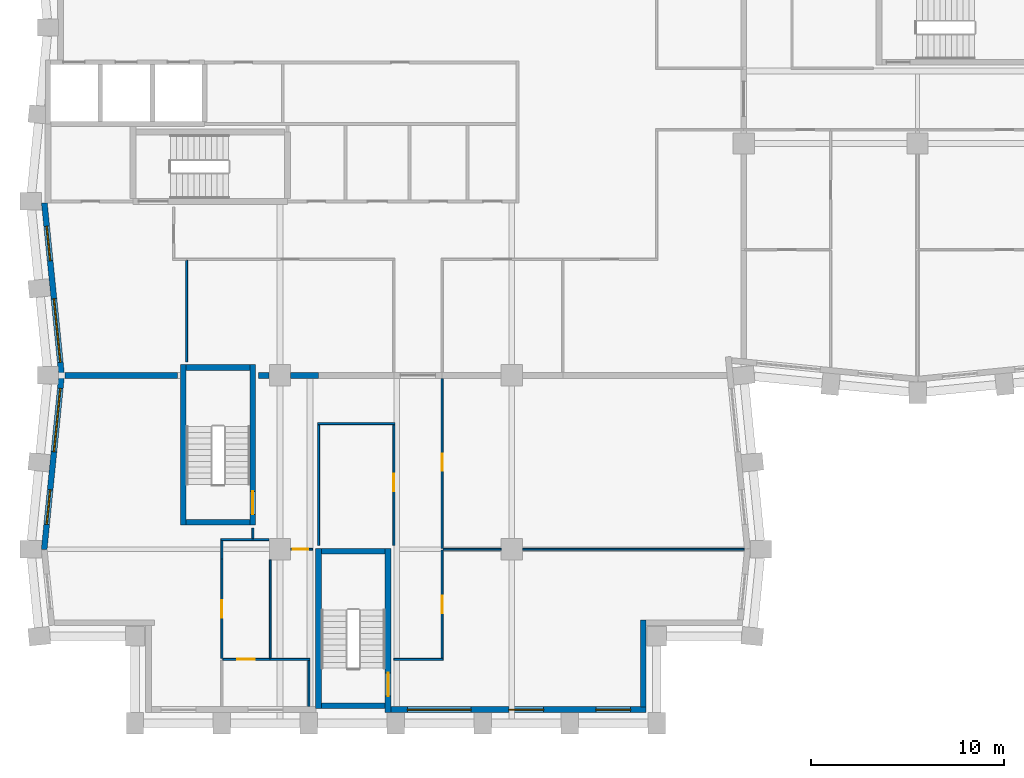
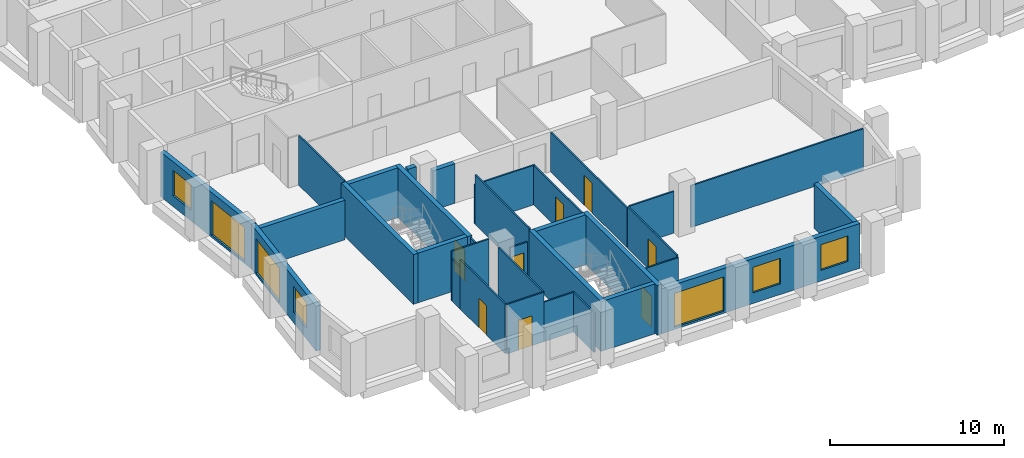
# One storey, part 3 of 10: 33 walls, 8 doors, 7 windows, 15 openings.
"""IFC4 building model written with IfcOpenShell, lengths in metres."""

from ifc_helpers import new_model, si_unit, direction, frame, frame_2d, origin, place, context, subcontext, project, spatial, rectangle, extrude, material, layer, layer_set, type_object, element, fill, save


model = new_model("IFC4")

# Units and contexts
model_context = context("Model", 3, precision=1e-05, world=origin(), true_north=direction((0.0, 1.0)))
body_context = subcontext(model_context, "Body", "Model", "MODEL_VIEW")
ifc_project = project(units=[si_unit("LENGTHUNIT", "METRE"), si_unit("AREAUNIT", "SQUARE_METRE"), si_unit("VOLUMEUNIT", "CUBIC_METRE"), si_unit("PLANEANGLEUNIT", "RADIAN"), si_unit("MASSUNIT", "GRAM", prefix="KILO")], contexts=[model_context])

# Site, building, storey
site_placement = place(None, origin())
site = spatial("IfcSite", under=ifc_project, at=site_placement, CompositionType="ELEMENT")
building_placement = place(site_placement, origin())
building = spatial("IfcBuilding", under=site, at=building_placement, Name="Brondeck Convention Tower", CompositionType="ELEMENT")
storey_placement = place(building_placement, frame((0.0, 0.0, 170.0)))
storey = spatial("IfcBuildingStorey", under=building, at=storey_placement, Name="L41", CompositionType="ELEMENT", Elevation=170.0)

# Walls
ifc_material_1 = material(Name="Concrete compartment wall C30/37", Category="concrete")
ifc_layer_1 = layer(ifc_material_1, 0.300048828125)
ifc_layer_set_1 = layer_set([ifc_layer_1], Name="Compartment wall 300")
wall_type_1 = type_object("IfcWallType", Name="Compartment wall 300", PredefinedType="PARTITIONING", material=ifc_layer_set_1)
wall_1_placement = place(storey_placement, frame((0.8740234375, 27.0, 0.0), z_axis=(0.0, 0.0, 1.0), x_axis=(1.0, 0.0, 0.0)))
element("IfcWall", 1, at=wall_1_placement, inside=storey, type_object=wall_type_1, Name="FLR-L41-W020", PredefinedType="PARTITIONING", context=body_context, shape_type="SweptSolid", body=[
    extrude(rectangle(XDim=5.825927734375, YDim=0.300048828125, at=frame_2d((2.9130859375, 0.0))), origin(), (0.0, 0.0, 1.0), 2.780029296875),
])
wall_2_placement = place(storey_placement, frame((10.89990234375, 27.0, 0.0), z_axis=(0.0, 0.0, 1.0), x_axis=(1.0, 0.0, 0.0)))
element("IfcWall", 2, at=wall_2_placement, inside=storey, type_object=wall_type_1, Name="FLR-L41-W021", PredefinedType="PARTITIONING", context=body_context, shape_type="SweptSolid", body=[
    extrude(rectangle(XDim=0.545166015625, YDim=0.300048828125, at=frame_2d((0.2724609375, 0.0))), origin(), (0.0, 0.0, 1.0), 3.47998046875),
])
wall_3_placement = place(storey_placement, frame((12.554931640625, 27.0, 0.0), z_axis=(0.0, 0.0, 1.0), x_axis=(1.0, 0.0, 0.0)))
element("IfcWall", 3, at=wall_3_placement, inside=storey, type_object=wall_type_1, Name="FLR-L41-W022", PredefinedType="PARTITIONING", context=body_context, shape_type="SweptSolid", body=[
    extrude(rectangle(XDim=1.445068359375, YDim=0.300048828125, at=frame_2d((0.72265625, 0.0))), origin(), (0.0, 0.0, 1.0), 2.780029296875),
])

# Wall, openings, windows
ifc_material_2 = material(Name="Precast concrete C50/60 bronze finish", Category="concrete")
ifc_layer_2 = layer(ifc_material_2, 0.070068359375, Name="Bronze precast facing")
ifc_material_3 = material(Name="Mineral wool")
ifc_layer_3 = layer(ifc_material_3, 0.159912109375, Name="Insulation")
ifc_material_4 = material(Name="Concrete C35/45", Category="concrete")
ifc_layer_4 = layer(ifc_material_4, 0.070068359375, Name="Backing")
ifc_layer_set_2 = layer_set([ifc_layer_2, ifc_layer_3, ifc_layer_4], Name="External infill wall, precast concrete C50/60 bronze facing")
wall_type_2 = type_object("IfcWallType", Name="External infill wall, precast concrete C50/60 bronze facing", PredefinedType="SOLIDWALL", material=ifc_layer_set_2)
wall_4_placement = place(storey_placement, frame((30.949951171875, 9.699951171875, 0.0), z_axis=(0.0, 0.0, 1.0), x_axis=(-1.0, 0.0, 0.0)))
wall_4 = element("IfcWall", 4, at=wall_4_placement, inside=storey, type_object=wall_type_2, Name="ENV-EW-L41-P1-B-S9-04", PredefinedType="SOLIDWALL", context=body_context, shape_type="SweptSolid", body=[
    extrude(rectangle(XDim=13.199951171875, YDim=0.300048828125, at=frame_2d((6.60009765625, 0.0))), origin(), (0.0, 0.0, 1.0), 3.14990234375),
])
opening_1_placement = place(wall_4_placement, frame((0.800048828125, 0.0, 0.75)))
opening_1 = element("IfcOpeningElement", 5, at=opening_1_placement, cuts=wall_4, Name="Opening W10", PredefinedType="OPENING", context=body_context, shape_type="SweptSolid", body=[
    extrude(rectangle(XDim=1.800048828125, YDim=1.800048828125, at=frame_2d((0.89990234375, 0.89990234375))), frame((0.0, 0.159912109375, 0.0), z_axis=(0.0, -1.0, 0.0), x_axis=(1.0, 0.0, 0.0)), (0.0, 0.0, 1.0), 0.320068359375),
])
opening_2_placement = place(wall_4_placement, frame((5.300048828125, 0.0, 0.75)))
opening_2 = element("IfcOpeningElement", 6, at=opening_2_placement, cuts=wall_4, Name="Opening W10", PredefinedType="OPENING", context=body_context, shape_type="SweptSolid", body=[
    extrude(rectangle(XDim=1.800048828125, YDim=1.800048828125, at=frame_2d((0.89990234375, 0.89990234375))), frame((0.0, 0.159912109375, 0.0), z_axis=(0.0, -1.0, 0.0), x_axis=(1.0, 0.0, 0.0)), (0.0, 0.0, 1.0), 0.320068359375),
])
opening_3_placement = place(wall_4_placement, frame((9.050048828125, 0.0, 0.14990234375)))
opening_3 = element("IfcOpeningElement", 7, at=opening_3_placement, cuts=wall_4, Name="Opening W9", PredefinedType="OPENING", context=body_context, shape_type="SweptSolid", body=[
    extrude(rectangle(XDim=3.300048828125, YDim=2.39990234375, at=frame_2d((1.64990234375, 1.199951171875))), frame((0.0, 0.159912109375, 0.0), z_axis=(0.0, -1.0, 0.0), x_axis=(1.0, 0.0, 0.0)), (0.0, 0.0, 1.0), 0.320068359375),
])
ifc_material_5 = material(Name="Bronze tinted double glazing", Category="glass")
window_type_1 = type_object("IfcWindowType", Name="Glazed flute window, bronze tinted", PartitioningType="SINGLE_PANEL", PredefinedType="WINDOW", material=ifc_material_5)
window_1_placement = place(opening_3_placement, origin())
window_1 = element("IfcWindow", 8, at=window_1_placement, inside=storey, type_object=window_type_1, Name="ENV-WN-L41-P1-B-S9-04", OverallHeight=2.39990234375, OverallWidth=3.300048828125, PartitioningType="SINGLE_PANEL", PredefinedType="WINDOW", context=body_context, shape_type="SweptSolid", body=[
    extrude(rectangle(XDim=3.300048828125, YDim=2.39990234375, at=frame_2d((1.64990234375, 1.199951171875))), frame((0.0, 0.030029296875, 0.0), z_axis=(0.0, -1.0, 0.0), x_axis=(1.0, 0.0, 0.0)), (0.0, 0.0, 1.0), 0.06005859375),
])
fill(opening_3, window_1)
window_type_2 = type_object("IfcWindowType", Name="Punched window, bronze tinted", PartitioningType="SINGLE_PANEL", PredefinedType="WINDOW", material=ifc_material_5)
window_2_placement = place(opening_1_placement, origin())
window_2 = element("IfcWindow", 9, at=window_2_placement, inside=storey, type_object=window_type_2, Name="ENV-WN-L41-P1-B-S9-06", OverallHeight=1.800048828125, OverallWidth=1.800048828125, PartitioningType="SINGLE_PANEL", PredefinedType="WINDOW", context=body_context, shape_type="SweptSolid", body=[
    extrude(rectangle(XDim=1.800048828125, YDim=1.800048828125, at=frame_2d((0.89990234375, 0.89990234375))), frame((0.0, 0.030029296875, 0.0), z_axis=(0.0, -1.0, 0.0), x_axis=(1.0, 0.0, 0.0)), (0.0, 0.0, 1.0), 0.06005859375),
])
fill(opening_1, window_2)
window_3_placement = place(opening_2_placement, origin())
window_3 = element("IfcWindow", 10, at=window_3_placement, inside=storey, type_object=window_type_2, Name="ENV-WN-L41-P1-B-S9-05", OverallHeight=1.800048828125, OverallWidth=1.800048828125, PartitioningType="SINGLE_PANEL", PredefinedType="WINDOW", context=body_context, shape_type="SweptSolid", body=[
    extrude(rectangle(XDim=1.800048828125, YDim=1.800048828125, at=frame_2d((0.89990234375, 0.89990234375))), frame((0.0, 0.030029296875, 0.0), z_axis=(0.0, -1.0, 0.0), x_axis=(1.0, 0.0, 0.0)), (0.0, 0.0, 1.0), 0.06005859375),
])
fill(opening_2, window_3)

# Wall
wall_5_placement = place(storey_placement, frame((30.800048828125, 14.35009765625, 0.0), z_axis=(0.0, 0.0, 1.0), x_axis=(0.0, -1.0, 0.0)))
element("IfcWall", 11, at=wall_5_placement, inside=storey, type_object=wall_type_2, Name="ENV-EW-L41-P1-NC-SEB9-01", PredefinedType="SOLIDWALL", context=body_context, shape_type="SweptSolid", body=[
    extrude(rectangle(XDim=4.502197265625, YDim=0.300048828125, at=frame_2d((2.2509765625, 0.0))), origin(), (0.0, 0.0, 1.0), 3.14990234375),
])

# Wall, openings, windows
wall_6_placement = place(storey_placement, frame((0.705078125, 26.985107421875, 0.0), z_axis=(0.0, 0.0, 1.0), x_axis=(-0.099533329093, 0.995034228758, 0.0)))
wall_6 = element("IfcWall", 12, at=wall_6_placement, inside=storey, type_object=wall_type_2, Name="ENV-EW-L41-P1-B-W-06", PredefinedType="SOLIDWALL", context=body_context, shape_type="SweptSolid", body=[
    extrude(rectangle(XDim=8.97998046875, YDim=0.300048828125, at=frame_2d((4.489990234375, 0.0))), origin(), (0.0, 0.0, 1.0), 3.14990234375),
])
opening_4_placement = place(wall_6_placement, frame((0.6962890625, 0.0, 0.14990234375)))
opening_4 = element("IfcOpeningElement", 13, at=opening_4_placement, cuts=wall_6, Name="Opening W9", PredefinedType="OPENING", context=body_context, shape_type="SweptSolid", body=[
    extrude(rectangle(XDim=3.300048828125, YDim=2.39990234375, at=frame_2d((1.64990234375, 1.199951171875))), frame((0.0, 0.159912109375, 0.0), z_axis=(0.0, -1.0, 0.0), x_axis=(1.0, 0.0, 0.0)), (0.0, 0.0, 1.0), 0.320068359375),
])
opening_5_placement = place(wall_6_placement, frame((5.968505859375, 0.0, 0.75)))
opening_5 = element("IfcOpeningElement", 14, at=opening_5_placement, cuts=wall_6, Name="Opening W10", PredefinedType="OPENING", context=body_context, shape_type="SweptSolid", body=[
    extrude(rectangle(XDim=1.800048828125, YDim=1.800048828125, at=frame_2d((0.89990234375, 0.89990234375))), frame((0.0, 0.159912109375, 0.0), z_axis=(0.0, -1.0, 0.0), x_axis=(1.0, 0.0, 0.0)), (0.0, 0.0, 1.0), 0.320068359375),
])
window_4_placement = place(opening_4_placement, origin())
window_4 = element("IfcWindow", 15, at=window_4_placement, inside=storey, type_object=window_type_1, Name="ENV-WN-L41-P1-B-W-07", OverallHeight=2.39990234375, OverallWidth=3.300048828125, PartitioningType="SINGLE_PANEL", PredefinedType="WINDOW", context=body_context, shape_type="SweptSolid", body=[
    extrude(rectangle(XDim=3.300048828125, YDim=2.39990234375, at=frame_2d((1.64990234375, 1.199951171875))), frame((0.0, 0.030029296875, 0.0), z_axis=(0.0, -1.0, 0.0), x_axis=(1.0, 0.0, 0.0)), (0.0, 0.0, 1.0), 0.06005859375),
])
fill(opening_4, window_4)
window_5_placement = place(opening_5_placement, origin())
window_5 = element("IfcWindow", 16, at=window_5_placement, inside=storey, type_object=window_type_2, Name="ENV-WN-L41-P1-B-W-06", OverallHeight=1.800048828125, OverallWidth=1.800048828125, PartitioningType="SINGLE_PANEL", PredefinedType="WINDOW", context=body_context, shape_type="SweptSolid", body=[
    extrude(rectangle(XDim=1.800048828125, YDim=1.800048828125, at=frame_2d((0.89990234375, 0.89990234375))), frame((0.0, 0.030029296875, 0.0), z_axis=(0.0, -1.0, 0.0), x_axis=(1.0, 0.0, 0.0)), (0.0, 0.0, 1.0), 0.06005859375),
])
fill(opening_5, window_5)

wall_7_placement = place(storey_placement, frame((-0.197998046875, 17.985107421875, 0.0), z_axis=(0.0, 0.0, 1.0), x_axis=(0.099495688264, 0.995037993253, 0.0)))
wall_7 = element("IfcWall", 17, at=wall_7_placement, inside=storey, type_object=wall_type_2, Name="ENV-EW-L41-P1-B-W-08", PredefinedType="SOLIDWALL", context=body_context, shape_type="SweptSolid", body=[
    extrude(rectangle(XDim=9.030029296875, YDim=0.300048828125, at=frame_2d((4.51513671875, 0.0))), origin(), (0.0, 0.0, 1.0), 3.14990234375),
])
opening_6_placement = place(wall_7_placement, frame((1.30615234375, 0.0, 0.75)))
opening_6 = element("IfcOpeningElement", 18, at=opening_6_placement, cuts=wall_7, Name="Opening W10", PredefinedType="OPENING", context=body_context, shape_type="SweptSolid", body=[
    extrude(rectangle(XDim=1.800048828125, YDim=1.800048828125, at=frame_2d((0.89990234375, 0.89990234375))), frame((0.0, 0.159912109375, 0.0), z_axis=(0.0, -1.0, 0.0), x_axis=(1.0, 0.0, 0.0)), (0.0, 0.0, 1.0), 0.320068359375),
])
opening_7_placement = place(wall_7_placement, frame((5.07861328125, 0.0, 0.14990234375)))
opening_7 = element("IfcOpeningElement", 19, at=opening_7_placement, cuts=wall_7, Name="Opening W9", PredefinedType="OPENING", context=body_context, shape_type="SweptSolid", body=[
    extrude(rectangle(XDim=3.300048828125, YDim=2.39990234375, at=frame_2d((1.64990234375, 1.199951171875))), frame((0.0, 0.159912109375, 0.0), z_axis=(0.0, -1.0, 0.0), x_axis=(1.0, 0.0, 0.0)), (0.0, 0.0, 1.0), 0.320068359375),
])
window_6_placement = place(opening_7_placement, origin())
window_6 = element("IfcWindow", 20, at=window_6_placement, inside=storey, type_object=window_type_1, Name="ENV-WN-L41-P1-B-W-08", OverallHeight=2.39990234375, OverallWidth=3.300048828125, PartitioningType="SINGLE_PANEL", PredefinedType="WINDOW", context=body_context, shape_type="SweptSolid", body=[
    extrude(rectangle(XDim=3.300048828125, YDim=2.39990234375, at=frame_2d((1.64990234375, 1.199951171875))), frame((0.0, 0.030029296875, 0.0), z_axis=(0.0, -1.0, 0.0), x_axis=(1.0, 0.0, 0.0)), (0.0, 0.0, 1.0), 0.06005859375),
])
fill(opening_7, window_6)
window_7_placement = place(opening_6_placement, origin())
window_7 = element("IfcWindow", 21, at=window_7_placement, inside=storey, type_object=window_type_2, Name="ENV-WN-L41-P1-B-W-09", OverallHeight=1.800048828125, OverallWidth=1.800048828125, PartitioningType="SINGLE_PANEL", PredefinedType="WINDOW", context=body_context, shape_type="SweptSolid", body=[
    extrude(rectangle(XDim=1.800048828125, YDim=1.800048828125, at=frame_2d((0.89990234375, 0.89990234375))), frame((0.0, 0.030029296875, 0.0), z_axis=(0.0, -1.0, 0.0), x_axis=(1.0, 0.0, 0.0)), (0.0, 0.0, 1.0), 0.06005859375),
])
fill(opening_6, window_7)

# Wall
ifc_material_6 = material(Name="Gypsum board partition on steel studs", Category="steel")
ifc_layer_5 = layer(ifc_material_6, 0.10009765625)
ifc_layer_set_3 = layer_set([ifc_layer_5], Name="Room partition 100")
wall_type_3 = type_object("IfcWallType", Name="Room partition 100", PredefinedType="PARTITIONING", material=ifc_layer_set_3)
wall_8_placement = place(storey_placement, frame((13.5, 12.25, 0.0), z_axis=(0.0, 0.0, 1.0), x_axis=(0.0, -1.0, 0.0)))
element("IfcWall", 22, at=wall_8_placement, inside=storey, type_object=wall_type_3, Name="FLR-L41-W003", PredefinedType="PARTITIONING", context=body_context, shape_type="SweptSolid", body=[
    extrude(rectangle(XDim=2.3798828125, YDim=0.10009765625, at=frame_2d((1.18994140625, 0.0))), origin(), (0.0, 0.0, 1.0), 2.780029296875),
])

# Wall, opening, door
wall_9_placement = place(storey_placement, frame((11.5, 12.300048828125, 0.0), z_axis=(0.0, 0.0, 1.0), x_axis=(-1.0, 0.0, 0.0)))
wall_9 = element("IfcWall", 23, at=wall_9_placement, inside=storey, type_object=wall_type_3, Name="FLR-L41-W004", PredefinedType="PARTITIONING", context=body_context, shape_type="SweptSolid", body=[
    extrude(rectangle(XDim=2.449951171875, YDim=0.10009765625, at=frame_2d((1.22509765625, 0.0))), origin(), (0.0, 0.0, 1.0), 3.47998046875),
])
opening_8_placement = place(wall_9_placement, frame((0.800048828125, 0.0, 0.0)))
opening_8 = element("IfcOpeningElement", 24, at=opening_8_placement, cuts=wall_9, Name="Opening OF-H-001", PredefinedType="OPENING", context=body_context, shape_type="SweptSolid", body=[
    extrude(rectangle(XDim=0.89990234375, YDim=2.10009765625, at=frame_2d((0.449951171875, 1.050048828125))), frame((0.0, 0.06005859375, 0.0), z_axis=(0.0, -1.0, 0.0), x_axis=(1.0, 0.0, 0.0)), (0.0, 0.0, 1.0), 0.1201171875),
])
ifc_material_7 = material(Name="Solid timber door leaf", Category="wood")
door_type_1 = type_object("IfcDoorType", Name="Single door 900", OperationType="NOTDEFINED", PredefinedType="DOOR", material=ifc_material_7)
door_1_placement = place(opening_8_placement, origin())
door_1 = element("IfcDoor", 25, at=door_1_placement, inside=storey, type_object=door_type_1, Name="Door OF-H-001", OperationType="SINGLE_SWING_RIGHT", OverallHeight=2.10009765625, OverallWidth=0.89990234375, PredefinedType="DOOR", context=body_context, shape_type="SweptSolid", body=[
    extrude(rectangle(XDim=0.89990234375, YDim=2.10009765625, at=frame_2d((0.449951171875, 1.050048828125))), frame((0.0, 0.02490234375, 0.0), z_axis=(0.0, -1.0, 0.0), x_axis=(1.0, 0.0, 0.0)), (0.0, 0.0, 1.0), 0.050048828125),
])
fill(opening_8, door_1)

# Walls
wall_10_placement = place(storey_placement, frame((11.5, 12.300048828125, 0.0), z_axis=(0.0, 0.0, 1.0), x_axis=(1.0, 0.0, 0.0)))
element("IfcWall", 26, at=wall_10_placement, inside=storey, type_object=wall_type_3, Name="FLR-L41-W005", PredefinedType="PARTITIONING", context=body_context, shape_type="SweptSolid", body=[
    extrude(rectangle(XDim=2.050048828125, YDim=0.10009765625, at=frame_2d((1.02490234375, 0.0))), origin(), (0.0, 0.0, 1.0), 2.780029296875),
])
wall_11_placement = place(storey_placement, frame((20.449951171875, 12.300048828125, 0.0), z_axis=(0.0, 0.0, 1.0), x_axis=(-1.0, 0.0, 0.0)))
element("IfcWall", 27, at=wall_11_placement, inside=storey, type_object=wall_type_3, Name="FLR-L41-W006", PredefinedType="PARTITIONING", context=body_context, shape_type="SweptSolid", body=[
    extrude(rectangle(XDim=2.550048828125, YDim=0.10009765625, at=frame_2d((1.27490234375, 0.0))), origin(), (0.0, 0.0, 1.0), 2.780029296875),
])

# Wall, opening, door
wall_12_placement = place(storey_placement, frame((9.0, 12.35009765625, 0.0), z_axis=(0.0, 0.0, 1.0), x_axis=(0.0, 1.0, 0.0)))
wall_12 = element("IfcWall", 28, at=wall_12_placement, inside=storey, type_object=wall_type_3, Name="FLR-L41-W007", PredefinedType="PARTITIONING", context=body_context, shape_type="SweptSolid", body=[
    extrude(rectangle(XDim=5.14990234375, YDim=0.10009765625, at=frame_2d((2.574951171875, 0.0))), origin(), (0.0, 0.0, 1.0), 3.47998046875),
])
opening_9_placement = place(wall_12_placement, frame((2.10009765625, 0.0, 0.0)))
opening_9 = element("IfcOpeningElement", 29, at=opening_9_placement, cuts=wall_12, Name="Opening OF-H-014", PredefinedType="OPENING", context=body_context, shape_type="SweptSolid", body=[
    extrude(rectangle(XDim=0.89990234375, YDim=2.10009765625, at=frame_2d((0.449951171875, 1.050048828125))), frame((0.0, 0.06005859375, 0.0), z_axis=(0.0, -1.0, 0.0), x_axis=(1.0, 0.0, 0.0)), (0.0, 0.0, 1.0), 0.1201171875),
])
door_2_placement = place(opening_9_placement, origin())
door_2 = element("IfcDoor", 30, at=door_2_placement, inside=storey, type_object=door_type_1, Name="Door OF-H-014", OperationType="SINGLE_SWING_RIGHT", OverallHeight=2.10009765625, OverallWidth=0.89990234375, PredefinedType="DOOR", context=body_context, shape_type="SweptSolid", body=[
    extrude(rectangle(XDim=0.89990234375, YDim=2.10009765625, at=frame_2d((0.449951171875, 1.050048828125))), frame((0.0, 0.02490234375, 0.0), z_axis=(0.0, -1.0, 0.0), x_axis=(1.0, 0.0, 0.0)), (0.0, 0.0, 1.0), 0.050048828125),
])
fill(opening_9, door_2)

# Walls
wall_13_placement = place(storey_placement, frame((11.5, 17.445068359375, 0.0), z_axis=(0.0, 0.0, 1.0), x_axis=(0.0, -1.0, 0.0)))
element("IfcWall", 31, at=wall_13_placement, inside=storey, type_object=wall_type_3, Name="FLR-L41-W008", PredefinedType="PARTITIONING", context=body_context, shape_type="SweptSolid", body=[
    extrude(rectangle(XDim=5.094970703125, YDim=0.10009765625, at=frame_2d((2.54736328125, 0.0))), origin(), (0.0, 0.0, 1.0), 3.47998046875),
])
wall_14_placement = place(storey_placement, frame((9.0, 17.5, 0.0), z_axis=(0.0, 0.0, 1.0), x_axis=(0.0, 1.0, 0.0)))
element("IfcWall", 32, at=wall_14_placement, inside=storey, type_object=wall_type_3, Name="FLR-L41-W009", PredefinedType="PARTITIONING", context=body_context, shape_type="SweptSolid", body=[
    extrude(rectangle(XDim=0.949951171875, YDim=0.10009765625, at=frame_2d((0.47509765625, 0.0))), origin(), (0.0, 0.0, 1.0), 2.929931640625),
])

# Wall, opening, door
wall_15_placement = place(storey_placement, frame((20.39990234375, 17.949951171875, 0.0), z_axis=(0.0, 0.0, 1.0), x_axis=(0.0, -1.0, 0.0)))
wall_15 = element("IfcWall", 33, at=wall_15_placement, inside=storey, type_object=wall_type_3, Name="FLR-L41-W010", PredefinedType="PARTITIONING", context=body_context, shape_type="SweptSolid", body=[
    extrude(rectangle(XDim=5.599853515625, YDim=0.10009765625, at=frame_2d((2.7998046875, 0.0))), origin(), (0.0, 0.0, 1.0), 2.929931640625),
])
opening_10_placement = place(wall_15_placement, frame((2.35009765625, 0.0, 0.0)))
opening_10 = element("IfcOpeningElement", 34, at=opening_10_placement, cuts=wall_15, Name="Opening OF-H-013", PredefinedType="OPENING", context=body_context, shape_type="SweptSolid", body=[
    extrude(rectangle(XDim=0.89990234375, YDim=2.10009765625, at=frame_2d((0.449951171875, 1.050048828125))), frame((0.0, 0.06005859375, 0.0), z_axis=(0.0, -1.0, 0.0), x_axis=(1.0, 0.0, 0.0)), (0.0, 0.0, 1.0), 0.1201171875),
])
door_3_placement = place(opening_10_placement, origin())
door_3 = element("IfcDoor", 35, at=door_3_placement, inside=storey, type_object=door_type_1, Name="Door OF-H-013", OperationType="SINGLE_SWING_LEFT", OverallHeight=2.10009765625, OverallWidth=0.89990234375, PredefinedType="DOOR", context=body_context, shape_type="SweptSolid", body=[
    extrude(rectangle(XDim=0.89990234375, YDim=2.10009765625, at=frame_2d((0.449951171875, 1.050048828125))), frame((0.0, 0.02490234375, 0.0), z_axis=(0.0, -1.0, 0.0), x_axis=(1.0, 0.0, 0.0)), (0.0, 0.0, 1.0), 0.050048828125),
])
fill(opening_10, door_3)

wall_16_placement = place(storey_placement, frame((13.699951171875, 18.0, 0.0), z_axis=(0.0, 0.0, 1.0), x_axis=(-1.0, 0.0, 0.0)))
wall_16 = element("IfcWall", 36, at=wall_16_placement, inside=storey, type_object=wall_type_3, Name="FLR-L41-W011", PredefinedType="PARTITIONING", context=body_context, shape_type="SweptSolid", body=[
    extrude(rectangle(XDim=1.14501953125, YDim=0.10009765625, at=frame_2d((0.572509765625, 0.0))), origin(), (0.0, 0.0, 1.0), 2.780029296875),
])
opening_11_placement = place(wall_16_placement, frame((0.2451171875, 0.0, 0.0)))
opening_11 = element("IfcOpeningElement", 37, at=opening_11_placement, cuts=wall_16, Name="Opening OF-H-004", PredefinedType="OPENING", context=body_context, shape_type="SweptSolid", body=[
    extrude(rectangle(XDim=0.800048828125, YDim=2.10009765625, at=frame_2d((0.39990234375, 1.050048828125))), frame((0.0, 0.06005859375, 0.0), z_axis=(0.0, -1.0, 0.0), x_axis=(1.0, 0.0, 0.0)), (0.0, 0.0, 1.0), 0.1201171875),
])
ifc_material_8 = material(Name="Steel service door leaf", Category="steel")
door_type_2 = type_object("IfcDoorType", Name="Service door 800", OperationType="NOTDEFINED", PredefinedType="DOOR", material=ifc_material_8)
door_4_placement = place(opening_11_placement, origin())
door_4 = element("IfcDoor", 38, at=door_4_placement, inside=storey, type_object=door_type_2, Name="Door OF-H-004", OperationType="SINGLE_SWING_LEFT", OverallHeight=2.10009765625, OverallWidth=0.800048828125, PredefinedType="DOOR", context=body_context, shape_type="SweptSolid", body=[
    extrude(rectangle(XDim=0.800048828125, YDim=2.10009765625, at=frame_2d((0.39990234375, 1.050048828125))), frame((0.0, 0.02490234375, 0.0), z_axis=(0.0, -1.0, 0.0), x_axis=(1.0, 0.0, 0.0)), (0.0, 0.0, 1.0), 0.050048828125),
])
fill(opening_11, door_4)

# Walls
wall_17_placement = place(storey_placement, frame((23.445068359375, 18.0, 0.0), z_axis=(0.0, 0.0, 1.0), x_axis=(-1.0, 0.0, 0.0)))
element("IfcWall", 39, at=wall_17_placement, inside=storey, type_object=wall_type_3, Name="FLR-L41-W012", PredefinedType="PARTITIONING", context=body_context, shape_type="SweptSolid", body=[
    extrude(rectangle(XDim=2.9951171875, YDim=0.10009765625, at=frame_2d((1.49755859375, 0.0))), origin(), (0.0, 0.0, 1.0), 2.929931640625),
])
wall_18_placement = place(storey_placement, frame((36.02587890625, 18.0, 0.0), z_axis=(0.0, 0.0, 1.0), x_axis=(-1.0, 0.0, 0.0)))
element("IfcWall", 40, at=wall_18_placement, inside=storey, type_object=wall_type_3, Name="FLR-L41-W013", PredefinedType="PARTITIONING", context=body_context, shape_type="SweptSolid", body=[
    extrude(rectangle(XDim=11.470947265625, YDim=0.10009765625, at=frame_2d((5.7353515625, 0.0))), origin(), (0.0, 0.0, 1.0), 2.929931640625),
])

# Wall, opening, door
wall_19_placement = place(storey_placement, frame((17.89990234375, 18.199951171875, 0.0), z_axis=(0.0, 0.0, 1.0), x_axis=(0.0, 1.0, 0.0)))
wall_19 = element("IfcWall", 41, at=wall_19_placement, inside=storey, type_object=wall_type_3, Name="FLR-L41-W014", PredefinedType="PARTITIONING", context=body_context, shape_type="SweptSolid", body=[
    extrude(rectangle(XDim=6.25, YDim=0.10009765625, at=frame_2d((3.125, 0.0))), origin(), (0.0, 0.0, 1.0), 2.780029296875),
])
opening_12_placement = place(wall_19_placement, frame((2.800048828125, 0.0, 0.0)))
opening_12 = element("IfcOpeningElement", 42, at=opening_12_placement, cuts=wall_19, Name="Opening OF-H-003", PredefinedType="OPENING", context=body_context, shape_type="SweptSolid", body=[
    extrude(rectangle(XDim=0.89990234375, YDim=2.10009765625, at=frame_2d((0.449951171875, 1.050048828125))), frame((0.0, 0.06005859375, 0.0), z_axis=(0.0, -1.0, 0.0), x_axis=(1.0, 0.0, 0.0)), (0.0, 0.0, 1.0), 0.1201171875),
])
door_5_placement = place(opening_12_placement, origin())
door_5 = element("IfcDoor", 43, at=door_5_placement, inside=storey, type_object=door_type_1, Name="Door OF-H-003", OperationType="SINGLE_SWING_LEFT", OverallHeight=2.10009765625, OverallWidth=0.89990234375, PredefinedType="DOOR", context=body_context, shape_type="SweptSolid", body=[
    extrude(rectangle(XDim=0.89990234375, YDim=2.10009765625, at=frame_2d((0.449951171875, 1.050048828125))), frame((0.0, 0.02490234375, 0.0), z_axis=(0.0, -1.0, 0.0), x_axis=(1.0, 0.0, 0.0)), (0.0, 0.0, 1.0), 0.050048828125),
])
fill(opening_12, door_5)

# Walls
wall_20_placement = place(storey_placement, frame((8.949951171875, 18.5, 0.0), z_axis=(0.0, 0.0, 1.0), x_axis=(1.0, 0.0, 0.0)))
element("IfcWall", 44, at=wall_20_placement, inside=storey, type_object=wall_type_3, Name="FLR-L41-W015", PredefinedType="PARTITIONING", context=body_context, shape_type="SweptSolid", body=[
    extrude(rectangle(XDim=2.47998046875, YDim=0.10009765625, at=frame_2d((1.239990234375, 0.0))), origin(), (0.0, 0.0, 1.0), 3.47998046875),
])
wall_21_placement = place(storey_placement, frame((10.60009765625, 18.550048828125, 0.0), z_axis=(0.0, 0.0, 1.0), x_axis=(0.0, 1.0, 0.0)))
element("IfcWall", 45, at=wall_21_placement, inside=storey, type_object=wall_type_3, Name="FLR-L41-W016", PredefinedType="PARTITIONING", context=body_context, shape_type="SweptSolid", body=[
    extrude(rectangle(XDim=0.550048828125, YDim=0.10009765625, at=frame_2d((0.27490234375, 0.0))), origin(), (0.0, 0.0, 1.0), 3.47998046875),
])
wall_22_placement = place(storey_placement, frame((14.0, 24.449951171875, 0.0), z_axis=(0.0, 0.0, 1.0), x_axis=(0.0, -1.0, 0.0)))
element("IfcWall", 46, at=wall_22_placement, inside=storey, type_object=wall_type_3, Name="FLR-L41-W017", PredefinedType="PARTITIONING", context=body_context, shape_type="SweptSolid", body=[
    extrude(rectangle(XDim=6.25, YDim=0.10009765625, at=frame_2d((3.125, 0.0))), origin(), (0.0, 0.0, 1.0), 3.47998046875),
])
wall_23_placement = place(storey_placement, frame((17.949951171875, 24.5, 0.0), z_axis=(0.0, 0.0, 1.0), x_axis=(-1.0, 0.0, 0.0)))
element("IfcWall", 47, at=wall_23_placement, inside=storey, type_object=wall_type_3, Name="FLR-L41-W018", PredefinedType="PARTITIONING", context=body_context, shape_type="SweptSolid", body=[
    extrude(rectangle(XDim=4.0, YDim=0.10009765625, at=frame_2d((2.0, 0.0))), origin(), (0.0, 0.0, 1.0), 2.780029296875),
])

# Wall, opening, door
wall_24_placement = place(storey_placement, frame((20.39990234375, 26.830078125, 0.0), z_axis=(0.0, 0.0, 1.0), x_axis=(0.0, -1.0, 0.0)))
wall_24 = element("IfcWall", 48, at=wall_24_placement, inside=storey, type_object=wall_type_3, Name="FLR-L41-W019", PredefinedType="PARTITIONING", context=body_context, shape_type="SweptSolid", body=[
    extrude(rectangle(XDim=8.780029296875, YDim=0.10009765625, at=frame_2d((4.39013671875, 0.0))), origin(), (0.0, 0.0, 1.0), 2.780029296875),
])
opening_13_placement = place(wall_24_placement, frame((3.8798828125, 0.0, 0.0)))
opening_13 = element("IfcOpeningElement", 49, at=opening_13_placement, cuts=wall_24, Name="Opening OF-H-012", PredefinedType="OPENING", context=body_context, shape_type="SweptSolid", body=[
    extrude(rectangle(XDim=0.89990234375, YDim=2.10009765625, at=frame_2d((0.449951171875, 1.050048828125))), frame((0.0, 0.06005859375, 0.0), z_axis=(0.0, -1.0, 0.0), x_axis=(1.0, 0.0, 0.0)), (0.0, 0.0, 1.0), 0.1201171875),
])
door_6_placement = place(opening_13_placement, origin())
door_6 = element("IfcDoor", 50, at=door_6_placement, inside=storey, type_object=door_type_1, Name="Door OF-H-012", OperationType="SINGLE_SWING_LEFT", OverallHeight=2.10009765625, OverallWidth=0.89990234375, PredefinedType="DOOR", context=body_context, shape_type="SweptSolid", body=[
    extrude(rectangle(XDim=0.89990234375, YDim=2.10009765625, at=frame_2d((0.449951171875, 1.050048828125))), frame((0.0, 0.02490234375, 0.0), z_axis=(0.0, -1.0, 0.0), x_axis=(1.0, 0.0, 0.0)), (0.0, 0.0, 1.0), 0.050048828125),
])
fill(opening_13, door_6)

# Walls
wall_25_placement = place(storey_placement, frame((7.172119140625, 32.949951171875, 0.0), z_axis=(0.0, 0.0, 1.0), x_axis=(0.0, -1.0, 0.0)))
element("IfcWall", 51, at=wall_25_placement, inside=storey, type_object=wall_type_3, Name="FLR-L41-W031", PredefinedType="PARTITIONING", context=body_context, shape_type="SweptSolid", body=[
    extrude(rectangle(XDim=5.25, YDim=0.10009765625, at=frame_2d((2.625, 0.0))), origin(), (0.0, 0.0, 1.0), 3.47998046875),
])
ifc_material_9 = material(Name="Concrete C70/85", Category="concrete")
ifc_layer_6 = layer(ifc_material_9, 0.300048828125)
ifc_layer_set_4 = layer_set([ifc_layer_6], Name="Stair enclosure wall 300 Concrete C70/85")
wall_type_4 = type_object("IfcWallType", Name="Stair enclosure wall 300 Concrete C70/85", PredefinedType="SHEAR", material=ifc_layer_set_4)
for number, where, z_axis, x_axis, name in (
    (52, (14.14990234375, 9.89990234375, 0.0), (0.0, 0.0, 1.0), (1.0, 0.0, 0.0), "L41 core wall"),
    (53, (14.14990234375, 17.89990234375, 0.0), (0.0, 0.0, 1.0), (1.0, 0.0, 0.0), "L41 core wall"),
    (54, (7.14990234375, 19.39990234375, 0.0), (0.0, 0.0, 1.0), (1.0, 0.0, 0.0), "L41 core wall"),
    (55, (7.14990234375, 27.39990234375, 0.0), (0.0, 0.0, 1.0), (1.0, 0.0, 0.0), "L41 core wall"),
):
    element("IfcWall", number, at=place(storey_placement, frame(where, z_axis=z_axis, x_axis=x_axis)), inside=storey, type_object=wall_type_4, Name=name, PredefinedType="SHEAR", context=body_context, shape_type="SweptSolid", body=[
        extrude(rectangle(XDim=3.300048828125, YDim=0.300048828125, at=frame_2d((1.64990234375, 0.0))), origin(), (0.0, 0.0, 1.0), 3.5),
    ])
wall_26_placement = place(storey_placement, frame((7.0, 19.25, 0.0), z_axis=(0.0, 0.0, 1.0), x_axis=(0.0, 1.0, 0.0)))
element("IfcWall", 56, at=wall_26_placement, inside=storey, type_object=wall_type_4, Name="L41 core wall", PredefinedType="SHEAR", context=body_context, shape_type="SweptSolid", body=[
    extrude(rectangle(XDim=8.300048828125, YDim=0.300048828125, at=frame_2d((4.14990234375, 0.0))), origin(), (0.0, 0.0, 1.0), 3.5),
])

# Wall, opening, door
wall_27_placement = place(storey_placement, frame((10.60009765625, 19.25, 0.0), z_axis=(0.0, 0.0, 1.0), x_axis=(0.0, 1.0, 0.0)))
wall_27 = element("IfcWall", 57, at=wall_27_placement, inside=storey, type_object=wall_type_4, Name="L41 core wall", PredefinedType="SHEAR", context=body_context, shape_type="SweptSolid", body=[
    extrude(rectangle(XDim=8.300048828125, YDim=0.300048828125, at=frame_2d((4.14990234375, 0.0))), origin(), (0.0, 0.0, 1.0), 3.5),
])
opening_14_placement = place(wall_27_placement, frame((0.550048828125, 0.0, 0.0)))
opening_14 = element("IfcOpeningElement", 58, at=opening_14_placement, cuts=wall_27, Name="Opening C23-19", PredefinedType="OPENING", context=body_context, shape_type="SweptSolid", body=[
    extrude(rectangle(XDim=1.199951171875, YDim=2.199951171875, at=frame_2d((0.60009765625, 1.10009765625))), frame((0.0, 0.159912109375, 0.0), z_axis=(0.0, -1.0, 0.0), x_axis=(1.0, 0.0, 0.0)), (0.0, 0.0, 1.0), 0.320068359375),
])
ifc_material_10 = material(Name="Steel fire door", Category="steel")
door_type_3 = type_object("IfcDoorType", Name="Stair door 1200x2200 EI 90", OperationType="NOTDEFINED", PredefinedType="DOOR", material=ifc_material_10)
door_7_placement = place(opening_14_placement, origin())
door_7 = element("IfcDoor", 59, at=door_7_placement, inside=storey, type_object=door_type_3, Name="L41 Stair door ST-BE", OperationType="SINGLE_SWING_RIGHT", OverallHeight=2.199951171875, OverallWidth=1.199951171875, PredefinedType="DOOR", context=body_context, shape_type="SweptSolid", body=[
    extrude(rectangle(XDim=1.199951171875, YDim=2.199951171875, at=frame_2d((0.60009765625, 1.10009765625))), frame((0.0, 0.02490234375, 0.0), z_axis=(0.0, -1.0, 0.0), x_axis=(1.0, 0.0, 0.0)), (0.0, 0.0, 1.0), 0.050048828125),
])
fill(opening_14, door_7)

# Wall
wall_28_placement = place(storey_placement, frame((14.0, 9.75, 0.0), z_axis=(0.0, 0.0, 1.0), x_axis=(0.0, 1.0, 0.0)))
element("IfcWall", 60, at=wall_28_placement, inside=storey, type_object=wall_type_4, Name="L41 core wall", PredefinedType="SHEAR", context=body_context, shape_type="SweptSolid", body=[
    extrude(rectangle(XDim=8.300048828125, YDim=0.300048828125, at=frame_2d((4.14990234375, 0.0))), origin(), (0.0, 0.0, 1.0), 3.5),
])

# Wall, opening, door
wall_29_placement = place(storey_placement, frame((17.60009765625, 9.550048828125, 0.0), z_axis=(0.0, 0.0, 1.0), x_axis=(0.0, 1.0, 0.0)))
wall_29 = element("IfcWall", 61, at=wall_29_placement, inside=storey, type_object=wall_type_4, Name="L41 core wall", PredefinedType="SHEAR", context=body_context, shape_type="SweptSolid", body=[
    extrude(rectangle(XDim=8.5, YDim=0.300048828125, at=frame_2d((4.25, 0.0))), origin(), (0.0, 0.0, 1.0), 3.5),
])
opening_15_placement = place(wall_29_placement, frame((0.85009765625, 0.0, 0.0)))
opening_15 = element("IfcOpeningElement", 62, at=opening_15_placement, cuts=wall_29, Name="Opening C23-20", PredefinedType="OPENING", context=body_context, shape_type="SweptSolid", body=[
    extrude(rectangle(XDim=1.199951171875, YDim=2.199951171875, at=frame_2d((0.60009765625, 1.10009765625))), frame((0.0, 0.159912109375, 0.0), z_axis=(0.0, -1.0, 0.0), x_axis=(1.0, 0.0, 0.0)), (0.0, 0.0, 1.0), 0.320068359375),
])
door_8_placement = place(opening_15_placement, origin())
door_8 = element("IfcDoor", 63, at=door_8_placement, inside=storey, type_object=door_type_3, Name="L41 Stair door ST-BF", OperationType="SINGLE_SWING_LEFT", OverallHeight=2.199951171875, OverallWidth=1.199951171875, PredefinedType="DOOR", context=body_context, shape_type="SweptSolid", body=[
    extrude(rectangle(XDim=1.199951171875, YDim=2.199951171875, at=frame_2d((0.60009765625, 1.10009765625))), frame((0.0, 0.02490234375, 0.0), z_axis=(0.0, -1.0, 0.0), x_axis=(1.0, 0.0, 0.0)), (0.0, 0.0, 1.0), 0.050048828125),
])
fill(opening_15, door_8)

save(model, "model.ifc")
